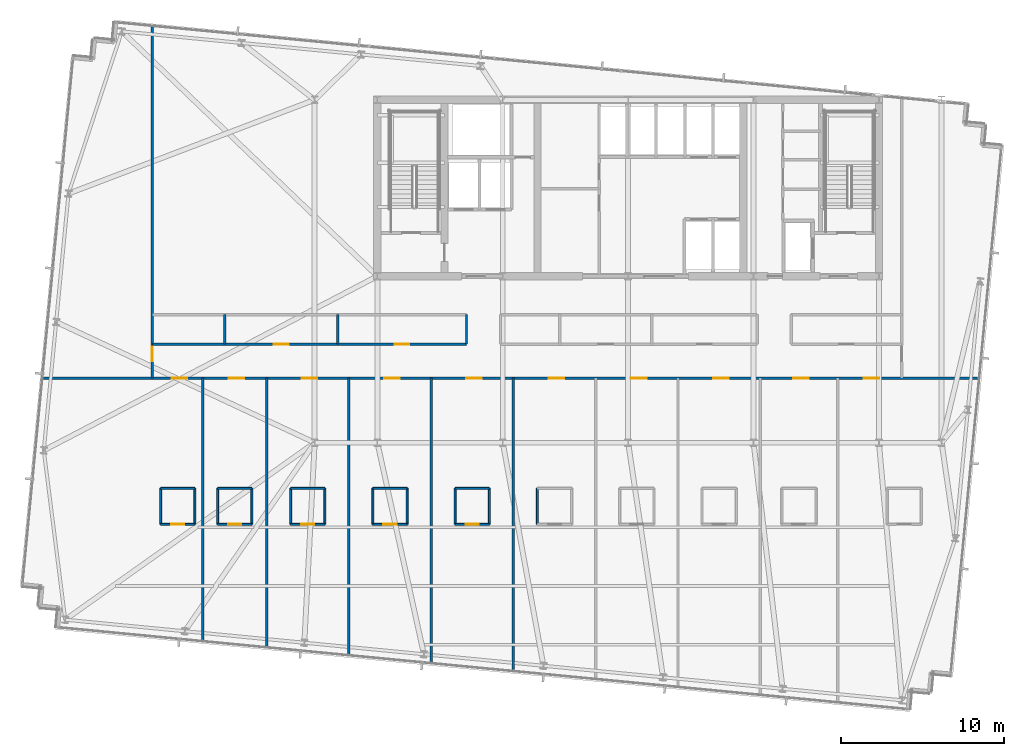
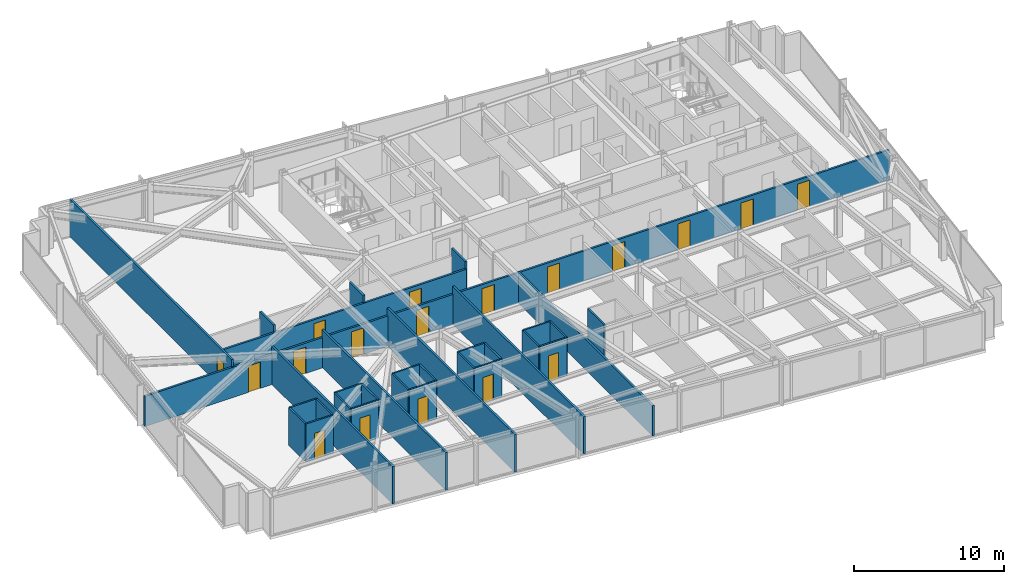
# One storey, part 29 of 37: 32 walls, 18 doors, 18 openings.
"""IFC4 building model written with IfcOpenShell, lengths in metres."""

from ifc_helpers import new_model, si_unit, direction, frame, frame_2d, origin, place, context, subcontext, project, spatial, rectangle, extrude, material, layer, layer_set, type_object, element, fill, save


model = new_model("IFC4")

# Units and contexts
model_context = context("Model", 3, precision=1e-05, world=origin(), true_north=direction((0.0, 1.0)))
body_context = subcontext(model_context, "Body", "Model", "MODEL_VIEW")
ifc_project = project(units=[si_unit("LENGTHUNIT", "METRE"), si_unit("AREAUNIT", "SQUARE_METRE"), si_unit("VOLUMEUNIT", "CUBIC_METRE"), si_unit("PLANEANGLEUNIT", "RADIAN"), si_unit("MASSUNIT", "GRAM", prefix="KILO")], contexts=[model_context])

# Site, building, storey
site_placement = place(None, origin())
site = spatial("IfcSite", under=ifc_project, at=site_placement, CompositionType="ELEMENT")
building_placement = place(site_placement, origin())
building = spatial("IfcBuilding", under=site, at=building_placement, Name="Yelkora Congress Tower", CompositionType="ELEMENT")
storey_placement = place(building_placement, frame((0.0, 0.0, 182.0)))
storey = spatial("IfcBuildingStorey", under=building, at=storey_placement, Name="L50", CompositionType="ELEMENT", Elevation=182.0)

# Walls
ifc_material_1 = material(Name="Moisture-resistant gypsum partition", Category="gypsum")
ifc_layer_1 = layer(ifc_material_1, 0.1201171875)
ifc_layer_set_1 = layer_set([ifc_layer_1], Name="Moisture-resistant gypsum partition")
wall_type_1 = type_object("IfcWallType", Name="WALL-INT-120-NR", PredefinedType="PARTITIONING", material=ifc_layer_set_1)
wall_1_placement = place(storey_placement, frame((9.758056640625, 22.39990234375, 0.0), z_axis=(0.0, 0.0, 1.0), x_axis=(1.0, 0.0, 0.0)))
element("IfcWall", 1, at=wall_1_placement, inside=storey, type_object=wall_type_1, Name="L50 Partition Wall 28", PredefinedType="PARTITIONING", context=body_context, shape_type="SweptSolid", body=[
    extrude(rectangle(XDim=2.099853515625, YDim=0.1201171875, at=frame_2d((1.0498046875, 0.0))), origin(), (0.0, 0.0, 1.0), 3.080078125),
])
for number, where, z_axis, x_axis, name in (
    (2, (9.758056640625, 20.199951171875, 0.0), (0.0, 0.0, 1.0), (0.0, 1.0, 0.0), "L50 Partition Wall 29"),
    (3, (11.85791015625, 20.199951171875, 0.0), (0.0, 0.0, 1.0), (0.0, 1.0, 0.0), "L50 Partition Wall 30"),
):
    element("IfcWall", number, at=place(storey_placement, frame(where, z_axis=z_axis, x_axis=x_axis)), inside=storey, type_object=wall_type_1, Name=name, PredefinedType="PARTITIONING", context=body_context, shape_type="SweptSolid", body=[
        extrude(rectangle(XDim=2.199951171875, YDim=0.1201171875, at=frame_2d((1.10009765625, 0.0))), origin(), (0.0, 0.0, 1.0), 3.080078125),
    ])

# Wall, opening, door
wall_2_placement = place(storey_placement, frame((9.758056640625, 20.199951171875, 0.0), z_axis=(0.0, 0.0, 1.0), x_axis=(1.0, 0.0, 0.0)))
wall_2 = element("IfcWall", 4, at=wall_2_placement, inside=storey, type_object=wall_type_1, Name="L50 Partition Wall 31", PredefinedType="PARTITIONING", context=body_context, shape_type="SweptSolid", body=[
    extrude(rectangle(XDim=2.099853515625, YDim=0.1201171875, at=frame_2d((1.0498046875, 0.0))), origin(), (0.0, 0.0, 1.0), 3.080078125),
])
opening_1_placement = place(wall_2_placement, frame((0.64990234375, 0.0, 0.0)))
opening_1 = element("IfcOpeningElement", 5, at=opening_1_placement, cuts=wall_2, Name="Opening DR-080B", PredefinedType="OPENING", context=body_context, shape_type="SweptSolid", body=[
    extrude(rectangle(XDim=0.800048828125, YDim=2.10009765625, at=frame_2d((0.39990234375, 1.050048828125))), frame((0.0, 0.070068359375, 0.0), z_axis=(0.0, -1.0, 0.0), x_axis=(1.0, 0.0, 0.0)), (0.0, 0.0, 1.0), 0.14013671875),
])
ifc_material_2 = material(Name="Moisture-sealed en-suite timber door", Category="wood")
door_type_1 = type_object("IfcDoorType", Name="DOOR-BATH-800", OperationType="NOTDEFINED", PredefinedType="DOOR", material=ifc_material_2)
door_1_placement = place(opening_1_placement, origin())
door_1 = element("IfcDoor", 6, at=door_1_placement, inside=storey, type_object=door_type_1, Name="L50 En-suite Door 1", OperationType="SINGLE_SWING_RIGHT", OverallHeight=2.10009765625, OverallWidth=0.800048828125, PredefinedType="DOOR", context=body_context, shape_type="SweptSolid", body=[
    extrude(rectangle(XDim=0.800048828125, YDim=2.10009765625, at=frame_2d((0.39990234375, 1.050048828125))), frame((0.0, 0.02490234375, 0.0), z_axis=(0.0, -1.0, 0.0), x_axis=(1.0, 0.0, 0.0)), (0.0, 0.0, 1.0), 0.050048828125),
])
fill(opening_1, door_1)

# Walls
wall_3_placement = place(storey_placement, frame((13.2529296875, 22.39990234375, 0.0), z_axis=(0.0, 0.0, 1.0), x_axis=(1.0, 0.0, 0.0)))
element("IfcWall", 7, at=wall_3_placement, inside=storey, type_object=wall_type_1, Name="L50 Partition Wall 32", PredefinedType="PARTITIONING", context=body_context, shape_type="SweptSolid", body=[
    extrude(rectangle(XDim=2.10009765625, YDim=0.1201171875, at=frame_2d((1.050048828125, 0.0))), origin(), (0.0, 0.0, 1.0), 3.080078125),
])
for number, where, z_axis, x_axis, name in (
    (8, (13.2529296875, 20.199951171875, 0.0), (0.0, 0.0, 1.0), (0.0, 1.0, 0.0), "L50 Partition Wall 33"),
    (9, (15.35302734375, 20.199951171875, 0.0), (0.0, 0.0, 1.0), (0.0, 1.0, 0.0), "L50 Partition Wall 34"),
):
    element("IfcWall", number, at=place(storey_placement, frame(where, z_axis=z_axis, x_axis=x_axis)), inside=storey, type_object=wall_type_1, Name=name, PredefinedType="PARTITIONING", context=body_context, shape_type="SweptSolid", body=[
        extrude(rectangle(XDim=2.199951171875, YDim=0.1201171875, at=frame_2d((1.10009765625, 0.0))), origin(), (0.0, 0.0, 1.0), 3.080078125),
    ])

# Wall, opening, door
wall_4_placement = place(storey_placement, frame((13.2529296875, 20.199951171875, 0.0), z_axis=(0.0, 0.0, 1.0), x_axis=(1.0, 0.0, 0.0)))
wall_4 = element("IfcWall", 10, at=wall_4_placement, inside=storey, type_object=wall_type_1, Name="L50 Partition Wall 35", PredefinedType="PARTITIONING", context=body_context, shape_type="SweptSolid", body=[
    extrude(rectangle(XDim=2.10009765625, YDim=0.1201171875, at=frame_2d((1.050048828125, 0.0))), origin(), (0.0, 0.0, 1.0), 3.080078125),
])
opening_2_placement = place(wall_4_placement, frame((0.64990234375, 0.0, 0.0)))
opening_2 = element("IfcOpeningElement", 11, at=opening_2_placement, cuts=wall_4, Name="Opening DR-080B", PredefinedType="OPENING", context=body_context, shape_type="SweptSolid", body=[
    extrude(rectangle(XDim=0.800048828125, YDim=2.10009765625, at=frame_2d((0.39990234375, 1.050048828125))), frame((0.0, 0.070068359375, 0.0), z_axis=(0.0, -1.0, 0.0), x_axis=(1.0, 0.0, 0.0)), (0.0, 0.0, 1.0), 0.14013671875),
])
door_2_placement = place(opening_2_placement, origin())
door_2 = element("IfcDoor", 12, at=door_2_placement, inside=storey, type_object=door_type_1, Name="L50 En-suite Door 2", OperationType="SINGLE_SWING_LEFT", OverallHeight=2.10009765625, OverallWidth=0.800048828125, PredefinedType="DOOR", context=body_context, shape_type="SweptSolid", body=[
    extrude(rectangle(XDim=0.800048828125, YDim=2.10009765625, at=frame_2d((0.39990234375, 1.050048828125))), frame((0.0, 0.02490234375, 0.0), z_axis=(0.0, -1.0, 0.0), x_axis=(1.0, 0.0, 0.0)), (0.0, 0.0, 1.0), 0.050048828125),
])
fill(opening_2, door_2)

# Walls
wall_5_placement = place(storey_placement, frame((17.720947265625, 22.39990234375, 0.0), z_axis=(0.0, 0.0, 1.0), x_axis=(1.0, 0.0, 0.0)))
element("IfcWall", 13, at=wall_5_placement, inside=storey, type_object=wall_type_1, Name="L50 Partition Wall 37", PredefinedType="PARTITIONING", context=body_context, shape_type="SweptSolid", body=[
    extrude(rectangle(XDim=2.10009765625, YDim=0.1201171875, at=frame_2d((1.050048828125, 0.0))), origin(), (0.0, 0.0, 1.0), 3.080078125),
])
for number, where, z_axis, x_axis, name in (
    (14, (17.720947265625, 20.199951171875, 0.0), (0.0, 0.0, 1.0), (0.0, 1.0, 0.0), "L50 Partition Wall 38"),
    (15, (19.821044921875, 20.199951171875, 0.0), (0.0, 0.0, 1.0), (0.0, 1.0, 0.0), "L50 Partition Wall 39"),
):
    element("IfcWall", number, at=place(storey_placement, frame(where, z_axis=z_axis, x_axis=x_axis)), inside=storey, type_object=wall_type_1, Name=name, PredefinedType="PARTITIONING", context=body_context, shape_type="SweptSolid", body=[
        extrude(rectangle(XDim=2.199951171875, YDim=0.1201171875, at=frame_2d((1.10009765625, 0.0))), origin(), (0.0, 0.0, 1.0), 3.080078125),
    ])

# Wall, opening, door
wall_6_placement = place(storey_placement, frame((17.720947265625, 20.199951171875, 0.0), z_axis=(0.0, 0.0, 1.0), x_axis=(1.0, 0.0, 0.0)))
wall_6 = element("IfcWall", 16, at=wall_6_placement, inside=storey, type_object=wall_type_1, Name="L50 Partition Wall 40", PredefinedType="PARTITIONING", context=body_context, shape_type="SweptSolid", body=[
    extrude(rectangle(XDim=2.10009765625, YDim=0.1201171875, at=frame_2d((1.050048828125, 0.0))), origin(), (0.0, 0.0, 1.0), 3.080078125),
])
opening_3_placement = place(wall_6_placement, frame((0.64990234375, 0.0, 0.0)))
opening_3 = element("IfcOpeningElement", 17, at=opening_3_placement, cuts=wall_6, Name="Opening DR-080B", PredefinedType="OPENING", context=body_context, shape_type="SweptSolid", body=[
    extrude(rectangle(XDim=0.800048828125, YDim=2.10009765625, at=frame_2d((0.39990234375, 1.050048828125))), frame((0.0, 0.070068359375, 0.0), z_axis=(0.0, -1.0, 0.0), x_axis=(1.0, 0.0, 0.0)), (0.0, 0.0, 1.0), 0.14013671875),
])
door_3_placement = place(opening_3_placement, origin())
door_3 = element("IfcDoor", 18, at=door_3_placement, inside=storey, type_object=door_type_1, Name="L50 En-suite Door 3", OperationType="SINGLE_SWING_RIGHT", OverallHeight=2.10009765625, OverallWidth=0.800048828125, PredefinedType="DOOR", context=body_context, shape_type="SweptSolid", body=[
    extrude(rectangle(XDim=0.800048828125, YDim=2.10009765625, at=frame_2d((0.39990234375, 1.050048828125))), frame((0.0, 0.02490234375, 0.0), z_axis=(0.0, -1.0, 0.0), x_axis=(1.0, 0.0, 0.0)), (0.0, 0.0, 1.0), 0.050048828125),
])
fill(opening_3, door_3)

# Walls
wall_7_placement = place(storey_placement, frame((22.761962890625, 22.39990234375, 0.0), z_axis=(0.0, 0.0, 1.0), x_axis=(1.0, 0.0, 0.0)))
element("IfcWall", 19, at=wall_7_placement, inside=storey, type_object=wall_type_1, Name="L50 Partition Wall 42", PredefinedType="PARTITIONING", context=body_context, shape_type="SweptSolid", body=[
    extrude(rectangle(XDim=2.10009765625, YDim=0.1201171875, at=frame_2d((1.050048828125, 0.0))), origin(), (0.0, 0.0, 1.0), 3.080078125),
])
for number, where, z_axis, x_axis, name in (
    (20, (22.761962890625, 20.199951171875, 0.0), (0.0, 0.0, 1.0), (0.0, 1.0, 0.0), "L50 Partition Wall 43"),
    (21, (24.862060546875, 20.199951171875, 0.0), (0.0, 0.0, 1.0), (0.0, 1.0, 0.0), "L50 Partition Wall 44"),
):
    element("IfcWall", number, at=place(storey_placement, frame(where, z_axis=z_axis, x_axis=x_axis)), inside=storey, type_object=wall_type_1, Name=name, PredefinedType="PARTITIONING", context=body_context, shape_type="SweptSolid", body=[
        extrude(rectangle(XDim=2.199951171875, YDim=0.1201171875, at=frame_2d((1.10009765625, 0.0))), origin(), (0.0, 0.0, 1.0), 3.080078125),
    ])

# Wall, opening, door
wall_8_placement = place(storey_placement, frame((22.761962890625, 20.199951171875, 0.0), z_axis=(0.0, 0.0, 1.0), x_axis=(1.0, 0.0, 0.0)))
wall_8 = element("IfcWall", 22, at=wall_8_placement, inside=storey, type_object=wall_type_1, Name="L50 Partition Wall 45", PredefinedType="PARTITIONING", context=body_context, shape_type="SweptSolid", body=[
    extrude(rectangle(XDim=2.10009765625, YDim=0.1201171875, at=frame_2d((1.050048828125, 0.0))), origin(), (0.0, 0.0, 1.0), 3.080078125),
])
opening_4_placement = place(wall_8_placement, frame((0.64990234375, 0.0, 0.0)))
opening_4 = element("IfcOpeningElement", 23, at=opening_4_placement, cuts=wall_8, Name="Opening DR-080B", PredefinedType="OPENING", context=body_context, shape_type="SweptSolid", body=[
    extrude(rectangle(XDim=0.800048828125, YDim=2.10009765625, at=frame_2d((0.39990234375, 1.050048828125))), frame((0.0, 0.070068359375, 0.0), z_axis=(0.0, -1.0, 0.0), x_axis=(1.0, 0.0, 0.0)), (0.0, 0.0, 1.0), 0.14013671875),
])
door_4_placement = place(opening_4_placement, origin())
door_4 = element("IfcDoor", 24, at=door_4_placement, inside=storey, type_object=door_type_1, Name="L50 En-suite Door 4", OperationType="SINGLE_SWING_LEFT", OverallHeight=2.10009765625, OverallWidth=0.800048828125, PredefinedType="DOOR", context=body_context, shape_type="SweptSolid", body=[
    extrude(rectangle(XDim=0.800048828125, YDim=2.10009765625, at=frame_2d((0.39990234375, 1.050048828125))), frame((0.0, 0.02490234375, 0.0), z_axis=(0.0, -1.0, 0.0), x_axis=(1.0, 0.0, 0.0)), (0.0, 0.0, 1.0), 0.050048828125),
])
fill(opening_4, door_4)

# Walls
wall_9_placement = place(storey_placement, frame((27.802001953125, 22.39990234375, 0.0), z_axis=(0.0, 0.0, 1.0), x_axis=(1.0, 0.0, 0.0)))
element("IfcWall", 25, at=wall_9_placement, inside=storey, type_object=wall_type_1, Name="L50 Partition Wall 47", PredefinedType="PARTITIONING", context=body_context, shape_type="SweptSolid", body=[
    extrude(rectangle(XDim=2.10009765625, YDim=0.1201171875, at=frame_2d((1.050048828125, 0.0))), origin(), (0.0, 0.0, 1.0), 3.080078125),
])
for number, where, z_axis, x_axis, name in (
    (26, (27.802001953125, 20.199951171875, 0.0), (0.0, 0.0, 1.0), (0.0, 1.0, 0.0), "L50 Partition Wall 48"),
    (27, (29.902099609375, 20.199951171875, 0.0), (0.0, 0.0, 1.0), (0.0, 1.0, 0.0), "L50 Partition Wall 49"),
):
    element("IfcWall", number, at=place(storey_placement, frame(where, z_axis=z_axis, x_axis=x_axis)), inside=storey, type_object=wall_type_1, Name=name, PredefinedType="PARTITIONING", context=body_context, shape_type="SweptSolid", body=[
        extrude(rectangle(XDim=2.199951171875, YDim=0.1201171875, at=frame_2d((1.10009765625, 0.0))), origin(), (0.0, 0.0, 1.0), 3.080078125),
    ])

# Wall, opening, door
wall_10_placement = place(storey_placement, frame((27.802001953125, 20.199951171875, 0.0), z_axis=(0.0, 0.0, 1.0), x_axis=(1.0, 0.0, 0.0)))
wall_10 = element("IfcWall", 28, at=wall_10_placement, inside=storey, type_object=wall_type_1, Name="L50 Partition Wall 50", PredefinedType="PARTITIONING", context=body_context, shape_type="SweptSolid", body=[
    extrude(rectangle(XDim=2.10009765625, YDim=0.1201171875, at=frame_2d((1.050048828125, 0.0))), origin(), (0.0, 0.0, 1.0), 3.080078125),
])
opening_5_placement = place(wall_10_placement, frame((0.64990234375, 0.0, 0.0)))
opening_5 = element("IfcOpeningElement", 29, at=opening_5_placement, cuts=wall_10, Name="Opening DR-080B", PredefinedType="OPENING", context=body_context, shape_type="SweptSolid", body=[
    extrude(rectangle(XDim=0.800048828125, YDim=2.10009765625, at=frame_2d((0.39990234375, 1.050048828125))), frame((0.0, 0.070068359375, 0.0), z_axis=(0.0, -1.0, 0.0), x_axis=(1.0, 0.0, 0.0)), (0.0, 0.0, 1.0), 0.14013671875),
])
door_5_placement = place(opening_5_placement, origin())
door_5 = element("IfcDoor", 30, at=door_5_placement, inside=storey, type_object=door_type_1, Name="L50 En-suite Door 5", OperationType="SINGLE_SWING_RIGHT", OverallHeight=2.10009765625, OverallWidth=0.800048828125, PredefinedType="DOOR", context=body_context, shape_type="SweptSolid", body=[
    extrude(rectangle(XDim=0.800048828125, YDim=2.10009765625, at=frame_2d((0.39990234375, 1.050048828125))), frame((0.0, 0.02490234375, 0.0), z_axis=(0.0, -1.0, 0.0), x_axis=(1.0, 0.0, 0.0)), (0.0, 0.0, 1.0), 0.050048828125),
])
fill(opening_5, door_5)

# Wall
wall_11_placement = place(storey_placement, frame((32.842041015625, 20.199951171875, 0.0), z_axis=(0.0, 0.0, 1.0), x_axis=(0.0, 1.0, 0.0)))
element("IfcWall", 31, at=wall_11_placement, inside=storey, type_object=wall_type_1, Name="L50 Partition Wall 53", PredefinedType="PARTITIONING", context=body_context, shape_type="SweptSolid", body=[
    extrude(rectangle(XDim=2.199951171875, YDim=0.1201171875, at=frame_2d((1.10009765625, 0.0))), origin(), (0.0, 0.0, 1.0), 3.080078125),
])

# Wall, opening, door
ifc_material_3 = material(Name="Acoustic metal-stud gypsum partition", Category="gypsum")
ifc_layer_2 = layer(ifc_material_3, 0.14990234375)
ifc_layer_set_2 = layer_set([ifc_layer_2], Name="Acoustic metal-stud gypsum partition")
wall_type_2 = type_object("IfcWallType", Name="WALL-INT-150-NR", PredefinedType="PARTITIONING", material=ifc_layer_set_2)
wall_12_placement = place(storey_placement, frame((9.260009765625, 29.14990234375, 0.0), z_axis=(0.0, 0.0, 1.0), x_axis=(0.0, 1.0, 0.0)))
wall_12 = element("IfcWall", 32, at=wall_12_placement, inside=storey, type_object=wall_type_2, Name="L50 Partition Wall 78", PredefinedType="PARTITIONING", context=body_context, shape_type="SweptSolid", body=[
    extrude(rectangle(XDim=21.63330078125, YDim=0.14990234375, at=frame_2d((10.816650390625, 0.0))), origin(), (0.0, 0.0, 1.0), 3.080078125),
])
opening_6_placement = place(wall_12_placement, frame((1.030029296875, 0.0, 0.0)))
opening_6 = element("IfcOpeningElement", 33, at=opening_6_placement, cuts=wall_12, Name="Opening DR-090N", PredefinedType="OPENING", context=body_context, shape_type="SweptSolid", body=[
    extrude(rectangle(XDim=0.89990234375, YDim=2.14990234375, at=frame_2d((0.449951171875, 1.074951171875))), frame((0.0, 0.0849609375, 0.0), z_axis=(0.0, -1.0, 0.0), x_axis=(1.0, 0.0, 0.0)), (0.0, 0.0, 1.0), 0.169921875),
])
ifc_material_4 = material(Name="Moisture-resistant laminate door leaf", Category="wood")
door_type_2 = type_object("IfcDoorType", Name="DOOR-INT-900", OperationType="NOTDEFINED", PredefinedType="DOOR", material=ifc_material_4)
door_6_placement = place(opening_6_placement, origin())
door_6 = element("IfcDoor", 34, at=door_6_placement, inside=storey, type_object=door_type_2, Name="L50 W Wing Door", OperationType="SINGLE_SWING_RIGHT", OverallHeight=2.14990234375, OverallWidth=0.89990234375, PredefinedType="DOOR", context=body_context, shape_type="SweptSolid", body=[
    extrude(rectangle(XDim=0.89990234375, YDim=2.14990234375, at=frame_2d((0.449951171875, 1.074951171875))), frame((0.0, 0.02490234375, 0.0), z_axis=(0.0, -1.0, 0.0), x_axis=(1.0, 0.0, 0.0)), (0.0, 0.0, 1.0), 0.050048828125),
])
fill(opening_6, door_6)

# Walls
for number, where, z_axis, x_axis, name in (
    (35, (28.5, 31.22998046875, 0.0), (0.0, 0.0, 1.0), (0.0, 1.0, 0.0), "L50 Partition Wall 80"),
    (36, (13.697998046875, 31.22998046875, 0.0), (0.0, 0.0, 1.0), (0.0, 1.0, 0.0), "L50 Partition Wall 87"),
    (37, (20.614013671875, 31.22998046875, 0.0), (0.0, 0.0, 1.0), (0.0, 1.0, 0.0), "L50 Partition Wall 88"),
):
    element("IfcWall", number, at=place(storey_placement, frame(where, z_axis=z_axis, x_axis=x_axis)), inside=storey, type_object=wall_type_2, Name=name, PredefinedType="PARTITIONING", context=body_context, shape_type="SweptSolid", body=[
        extrude(rectangle(XDim=1.820068359375, YDim=0.14990234375, at=frame_2d((0.91015625, 0.0))), origin(), (0.0, 0.0, 1.0), 3.080078125),
    ])

# Wall, openings, doors
wall_13_placement = place(storey_placement, frame((9.280029296875, 31.22998046875, 0.0), z_axis=(0.0, 0.0, 1.0), x_axis=(1.0, 0.0, 0.0)))
wall_13 = element("IfcWall", 38, at=wall_13_placement, inside=storey, type_object=wall_type_2, Name="L50 Partition Wall 89", PredefinedType="PARTITIONING", context=body_context, shape_type="SweptSolid", body=[
    extrude(rectangle(XDim=19.2099609375, YDim=0.14990234375, at=frame_2d((9.60498046875, 0.0))), origin(), (0.0, 0.0, 1.0), 2.47509765625),
])
opening_7_placement = place(wall_13_placement, frame((7.426025390625, 0.0, 0.0)))
opening_7 = element("IfcOpeningElement", 39, at=opening_7_placement, cuts=wall_13, Name="Opening DR-090N", PredefinedType="OPENING", context=body_context, shape_type="SweptSolid", body=[
    extrude(rectangle(XDim=0.89990234375, YDim=2.14990234375, at=frame_2d((0.449951171875, 1.074951171875))), frame((0.0, 0.0849609375, 0.0), z_axis=(0.0, -1.0, 0.0), x_axis=(1.0, 0.0, 0.0)), (0.0, 0.0, 1.0), 0.169921875),
])
opening_8_placement = place(wall_13_placement, frame((14.822021484375, 0.0, 0.0)))
opening_8 = element("IfcOpeningElement", 40, at=opening_8_placement, cuts=wall_13, Name="Opening DR-090N", PredefinedType="OPENING", context=body_context, shape_type="SweptSolid", body=[
    extrude(rectangle(XDim=0.89990234375, YDim=2.14990234375, at=frame_2d((0.449951171875, 1.074951171875))), frame((0.0, 0.0849609375, 0.0), z_axis=(0.0, -1.0, 0.0), x_axis=(1.0, 0.0, 0.0)), (0.0, 0.0, 1.0), 0.169921875),
])
door_7_placement = place(opening_7_placement, origin())
door_7 = element("IfcDoor", 41, at=door_7_placement, inside=storey, type_object=door_type_2, Name="L50 Hospitality Pantry Door", OperationType="SINGLE_SWING_RIGHT", OverallHeight=2.14990234375, OverallWidth=0.89990234375, PredefinedType="DOOR", context=body_context, shape_type="SweptSolid", body=[
    extrude(rectangle(XDim=0.89990234375, YDim=2.14990234375, at=frame_2d((0.449951171875, 1.074951171875))), frame((0.0, 0.02490234375, 0.0), z_axis=(0.0, -1.0, 0.0), x_axis=(1.0, 0.0, 0.0)), (0.0, 0.0, 1.0), 0.050048828125),
])
fill(opening_7, door_7)
door_8_placement = place(opening_8_placement, origin())
door_8 = element("IfcDoor", 42, at=door_8_placement, inside=storey, type_object=door_type_2, Name="L50 Staff Operations Room Door", OperationType="SINGLE_SWING_LEFT", OverallHeight=2.14990234375, OverallWidth=0.89990234375, PredefinedType="DOOR", context=body_context, shape_type="SweptSolid", body=[
    extrude(rectangle(XDim=0.89990234375, YDim=2.14990234375, at=frame_2d((0.449951171875, 1.074951171875))), frame((0.0, 0.02490234375, 0.0), z_axis=(0.0, -1.0, 0.0), x_axis=(1.0, 0.0, 0.0)), (0.0, 0.0, 1.0), 0.050048828125),
])
fill(opening_8, door_8)

# Walls
ifc_material_5 = material(Name="Twin-stud fire-rated gypsum partition", Category="gypsum")
ifc_layer_3 = layer(ifc_material_5, 0.14990234375)
ifc_layer_set_3 = layer_set([ifc_layer_3], Name="Twin-stud fire-rated gypsum partition")
wall_type_3 = type_object("IfcWallType", Name="WALL-INT-150-R60", PredefinedType="PARTITIONING", material=ifc_layer_set_3)
wall_14_placement = place(storey_placement, frame((12.35498046875, 12.972412109375, 0.0), z_axis=(0.0, 0.0, 1.0), x_axis=(0.0, 1.0, 0.0)))
element("IfcWall", 43, at=wall_14_placement, inside=storey, type_object=wall_type_3, Name="L50 Partition Wall 36", PredefinedType="PARTITIONING", context=body_context, shape_type="SweptSolid", body=[
    extrude(rectangle(XDim=16.197509765625, YDim=0.14990234375, at=frame_2d((8.0986328125, 0.0))), origin(), (0.0, 0.0, 1.0), 3.080078125),
])
wall_15_placement = place(storey_placement, frame((16.2509765625, 12.59716796875, 0.0), z_axis=(0.0, 0.0, 1.0), x_axis=(0.0, 1.0, 0.0)))
element("IfcWall", 44, at=wall_15_placement, inside=storey, type_object=wall_type_3, Name="L50 Partition Wall 41", PredefinedType="PARTITIONING", context=body_context, shape_type="SweptSolid", body=[
    extrude(rectangle(XDim=16.57275390625, YDim=0.14990234375, at=frame_2d((8.286376953125, 0.0))), origin(), (0.0, 0.0, 1.0), 3.080078125),
])
wall_16_placement = place(storey_placement, frame((21.291015625, 12.11181640625, 0.0), z_axis=(0.0, 0.0, 1.0), x_axis=(0.0, 1.0, 0.0)))
element("IfcWall", 45, at=wall_16_placement, inside=storey, type_object=wall_type_3, Name="L50 Partition Wall 46", PredefinedType="PARTITIONING", context=body_context, shape_type="SweptSolid", body=[
    extrude(rectangle(XDim=17.05810546875, YDim=0.14990234375, at=frame_2d((8.529052734375, 0.0))), origin(), (0.0, 0.0, 1.0), 3.080078125),
])
wall_17_placement = place(storey_placement, frame((26.33203125, 11.62646484375, 0.0), z_axis=(0.0, 0.0, 1.0), x_axis=(0.0, 1.0, 0.0)))
element("IfcWall", 46, at=wall_17_placement, inside=storey, type_object=wall_type_3, Name="L50 Partition Wall 51", PredefinedType="PARTITIONING", context=body_context, shape_type="SweptSolid", body=[
    extrude(rectangle(XDim=17.54345703125, YDim=0.14990234375, at=frame_2d((8.771728515625, 0.0))), origin(), (0.0, 0.0, 1.0), 3.080078125),
])
wall_18_placement = place(storey_placement, frame((31.3720703125, 11.14111328125, 0.0), z_axis=(0.0, 0.0, 1.0), x_axis=(0.0, 1.0, 0.0)))
element("IfcWall", 47, at=wall_18_placement, inside=storey, type_object=wall_type_3, Name="L50 Partition Wall 56", PredefinedType="PARTITIONING", context=body_context, shape_type="SweptSolid", body=[
    extrude(rectangle(XDim=18.02880859375, YDim=0.14990234375, at=frame_2d((9.014404296875, 0.0))), origin(), (0.0, 0.0, 1.0), 2.47509765625),
])

# Wall, openings, doors
wall_19_placement = place(storey_placement, frame((2.460205078125, 29.14990234375, 0.0), z_axis=(0.0, 0.0, 1.0), x_axis=(1.0, 0.0, 0.0)))
wall_19 = element("IfcWall", 48, at=wall_19_placement, inside=storey, type_object=wall_type_3, Name="L50 South Spine Wall", PredefinedType="PARTITIONING", context=body_context, shape_type="SweptSolid", body=[
    extrude(rectangle(XDim=57.5048828125, YDim=0.14990234375, at=frame_2d((28.75244140625, 0.0))), origin(), (0.0, 0.0, 1.0), 2.47509765625),
])
opening_9_placement = place(wall_19_placement, frame((7.9873046875, 0.0, 0.0)))
opening_9 = element("IfcOpeningElement", 49, at=opening_9_placement, cuts=wall_19, Name="Opening DR-095F6", PredefinedType="OPENING", context=body_context, shape_type="SweptSolid", body=[
    extrude(rectangle(XDim=0.949951171875, YDim=2.14990234375, at=frame_2d((0.47509765625, 1.074951171875))), frame((0.0, 0.0849609375, 0.0), z_axis=(0.0, -1.0, 0.0), x_axis=(1.0, 0.0, 0.0)), (0.0, 0.0, 1.0), 0.169921875),
])
opening_10_placement = place(wall_19_placement, frame((11.482666015625, 0.0, 0.0)))
opening_10 = element("IfcOpeningElement", 50, at=opening_10_placement, cuts=wall_19, Name="Opening DR-095F6", PredefinedType="OPENING", context=body_context, shape_type="SweptSolid", body=[
    extrude(rectangle(XDim=0.949951171875, YDim=2.14990234375, at=frame_2d((0.47509765625, 1.074951171875))), frame((0.0, 0.0849609375, 0.0), z_axis=(0.0, -1.0, 0.0), x_axis=(1.0, 0.0, 0.0)), (0.0, 0.0, 1.0), 0.169921875),
])
opening_11_placement = place(wall_19_placement, frame((15.95068359375, 0.0, 0.0)))
opening_11 = element("IfcOpeningElement", 51, at=opening_11_placement, cuts=wall_19, Name="Opening DR-095F6", PredefinedType="OPENING", context=body_context, shape_type="SweptSolid", body=[
    extrude(rectangle(XDim=0.949951171875, YDim=2.14990234375, at=frame_2d((0.47509765625, 1.074951171875))), frame((0.0, 0.0849609375, 0.0), z_axis=(0.0, -1.0, 0.0), x_axis=(1.0, 0.0, 0.0)), (0.0, 0.0, 1.0), 0.169921875),
])
opening_12_placement = place(wall_19_placement, frame((20.9912109375, 0.0, 0.0)))
opening_12 = element("IfcOpeningElement", 52, at=opening_12_placement, cuts=wall_19, Name="Opening DR-095F6", PredefinedType="OPENING", context=body_context, shape_type="SweptSolid", body=[
    extrude(rectangle(XDim=0.949951171875, YDim=2.14990234375, at=frame_2d((0.47509765625, 1.074951171875))), frame((0.0, 0.0849609375, 0.0), z_axis=(0.0, -1.0, 0.0), x_axis=(1.0, 0.0, 0.0)), (0.0, 0.0, 1.0), 0.169921875),
])
opening_13_placement = place(wall_19_placement, frame((26.03173828125, 0.0, 0.0)))
opening_13 = element("IfcOpeningElement", 53, at=opening_13_placement, cuts=wall_19, Name="Opening DR-095F6", PredefinedType="OPENING", context=body_context, shape_type="SweptSolid", body=[
    extrude(rectangle(XDim=0.949951171875, YDim=2.14990234375, at=frame_2d((0.47509765625, 1.074951171875))), frame((0.0, 0.0849609375, 0.0), z_axis=(0.0, -1.0, 0.0), x_axis=(1.0, 0.0, 0.0)), (0.0, 0.0, 1.0), 0.169921875),
])
opening_14_placement = place(wall_19_placement, frame((31.072265625, 0.0, 0.0)))
opening_14 = element("IfcOpeningElement", 54, at=opening_14_placement, cuts=wall_19, Name="Opening DR-095F6", PredefinedType="OPENING", context=body_context, shape_type="SweptSolid", body=[
    extrude(rectangle(XDim=0.949951171875, YDim=2.14990234375, at=frame_2d((0.47509765625, 1.074951171875))), frame((0.0, 0.0849609375, 0.0), z_axis=(0.0, -1.0, 0.0), x_axis=(1.0, 0.0, 0.0)), (0.0, 0.0, 1.0), 0.169921875),
])
opening_15_placement = place(wall_19_placement, frame((36.11328125, 0.0, 0.0)))
opening_15 = element("IfcOpeningElement", 55, at=opening_15_placement, cuts=wall_19, Name="Opening DR-095F6", PredefinedType="OPENING", context=body_context, shape_type="SweptSolid", body=[
    extrude(rectangle(XDim=0.949951171875, YDim=2.14990234375, at=frame_2d((0.47509765625, 1.074951171875))), frame((0.0, 0.0849609375, 0.0), z_axis=(0.0, -1.0, 0.0), x_axis=(1.0, 0.0, 0.0)), (0.0, 0.0, 1.0), 0.169921875),
])
opening_16_placement = place(wall_19_placement, frame((41.15380859375, 0.0, 0.0)))
opening_16 = element("IfcOpeningElement", 56, at=opening_16_placement, cuts=wall_19, Name="Opening DR-095F6", PredefinedType="OPENING", context=body_context, shape_type="SweptSolid", body=[
    extrude(rectangle(XDim=0.949951171875, YDim=2.14990234375, at=frame_2d((0.47509765625, 1.074951171875))), frame((0.0, 0.0849609375, 0.0), z_axis=(0.0, -1.0, 0.0), x_axis=(1.0, 0.0, 0.0)), (0.0, 0.0, 1.0), 0.169921875),
])
opening_17_placement = place(wall_19_placement, frame((46.041748046875, 0.0, 0.0)))
opening_17 = element("IfcOpeningElement", 57, at=opening_17_placement, cuts=wall_19, Name="Opening DR-095F6", PredefinedType="OPENING", context=body_context, shape_type="SweptSolid", body=[
    extrude(rectangle(XDim=0.949951171875, YDim=2.14990234375, at=frame_2d((0.47509765625, 1.074951171875))), frame((0.0, 0.0849609375, 0.0), z_axis=(0.0, -1.0, 0.0), x_axis=(1.0, 0.0, 0.0)), (0.0, 0.0, 1.0), 0.169921875),
])
opening_18_placement = place(wall_19_placement, frame((50.377197265625, 0.0, 0.0)))
opening_18 = element("IfcOpeningElement", 58, at=opening_18_placement, cuts=wall_19, Name="Opening DR-095F6", PredefinedType="OPENING", context=body_context, shape_type="SweptSolid", body=[
    extrude(rectangle(XDim=0.949951171875, YDim=2.14990234375, at=frame_2d((0.47509765625, 1.074951171875))), frame((0.0, 0.0849609375, 0.0), z_axis=(0.0, -1.0, 0.0), x_axis=(1.0, 0.0, 0.0)), (0.0, 0.0, 1.0), 0.169921875),
])
ifc_material_6 = material(Name="Acoustic oak-veneer fire door leaf", Category="wood")
door_type_3 = type_object("IfcDoorType", Name="DOOR-FD60-950", OperationType="NOTDEFINED", PredefinedType="DOOR", material=ifc_material_6)
door_9_placement = place(opening_9_placement, origin())
door_9 = element("IfcDoor", 59, at=door_9_placement, inside=storey, type_object=door_type_3, Name="L50 Diplomatic Suite 01 Entry Door", OperationType="SINGLE_SWING_RIGHT", OverallHeight=2.14990234375, OverallWidth=0.949951171875, PredefinedType="DOOR", context=body_context, shape_type="SweptSolid", body=[
    extrude(rectangle(XDim=0.949951171875, YDim=2.14990234375, at=frame_2d((0.47509765625, 1.074951171875))), frame((0.0, 0.02490234375, 0.0), z_axis=(0.0, -1.0, 0.0), x_axis=(1.0, 0.0, 0.0)), (0.0, 0.0, 1.0), 0.050048828125),
])
fill(opening_9, door_9)
door_10_placement = place(opening_10_placement, origin())
door_10 = element("IfcDoor", 60, at=door_10_placement, inside=storey, type_object=door_type_3, Name="L50 Diplomatic Suite 02 Entry Door", OperationType="SINGLE_SWING_LEFT", OverallHeight=2.14990234375, OverallWidth=0.949951171875, PredefinedType="DOOR", context=body_context, shape_type="SweptSolid", body=[
    extrude(rectangle(XDim=0.949951171875, YDim=2.14990234375, at=frame_2d((0.47509765625, 1.074951171875))), frame((0.0, 0.02490234375, 0.0), z_axis=(0.0, -1.0, 0.0), x_axis=(1.0, 0.0, 0.0)), (0.0, 0.0, 1.0), 0.050048828125),
])
fill(opening_10, door_10)
door_11_placement = place(opening_11_placement, origin())
door_11 = element("IfcDoor", 61, at=door_11_placement, inside=storey, type_object=door_type_3, Name="L50 Diplomatic Suite 03 Entry Door", OperationType="SINGLE_SWING_RIGHT", OverallHeight=2.14990234375, OverallWidth=0.949951171875, PredefinedType="DOOR", context=body_context, shape_type="SweptSolid", body=[
    extrude(rectangle(XDim=0.949951171875, YDim=2.14990234375, at=frame_2d((0.47509765625, 1.074951171875))), frame((0.0, 0.02490234375, 0.0), z_axis=(0.0, -1.0, 0.0), x_axis=(1.0, 0.0, 0.0)), (0.0, 0.0, 1.0), 0.050048828125),
])
fill(opening_11, door_11)
door_12_placement = place(opening_12_placement, origin())
door_12 = element("IfcDoor", 62, at=door_12_placement, inside=storey, type_object=door_type_3, Name="L50 Diplomatic Suite 04 Entry Door", OperationType="SINGLE_SWING_LEFT", OverallHeight=2.14990234375, OverallWidth=0.949951171875, PredefinedType="DOOR", context=body_context, shape_type="SweptSolid", body=[
    extrude(rectangle(XDim=0.949951171875, YDim=2.14990234375, at=frame_2d((0.47509765625, 1.074951171875))), frame((0.0, 0.02490234375, 0.0), z_axis=(0.0, -1.0, 0.0), x_axis=(1.0, 0.0, 0.0)), (0.0, 0.0, 1.0), 0.050048828125),
])
fill(opening_12, door_12)
door_13_placement = place(opening_13_placement, origin())
door_13 = element("IfcDoor", 63, at=door_13_placement, inside=storey, type_object=door_type_3, Name="L50 Diplomatic Suite 05 Entry Door", OperationType="SINGLE_SWING_RIGHT", OverallHeight=2.14990234375, OverallWidth=0.949951171875, PredefinedType="DOOR", context=body_context, shape_type="SweptSolid", body=[
    extrude(rectangle(XDim=0.949951171875, YDim=2.14990234375, at=frame_2d((0.47509765625, 1.074951171875))), frame((0.0, 0.02490234375, 0.0), z_axis=(0.0, -1.0, 0.0), x_axis=(1.0, 0.0, 0.0)), (0.0, 0.0, 1.0), 0.050048828125),
])
fill(opening_13, door_13)
door_14_placement = place(opening_14_placement, origin())
door_14 = element("IfcDoor", 64, at=door_14_placement, inside=storey, type_object=door_type_3, Name="L50 Diplomatic Suite 06 Entry Door", OperationType="SINGLE_SWING_LEFT", OverallHeight=2.14990234375, OverallWidth=0.949951171875, PredefinedType="DOOR", context=body_context, shape_type="SweptSolid", body=[
    extrude(rectangle(XDim=0.949951171875, YDim=2.14990234375, at=frame_2d((0.47509765625, 1.074951171875))), frame((0.0, 0.02490234375, 0.0), z_axis=(0.0, -1.0, 0.0), x_axis=(1.0, 0.0, 0.0)), (0.0, 0.0, 1.0), 0.050048828125),
])
fill(opening_14, door_14)
door_15_placement = place(opening_15_placement, origin())
door_15 = element("IfcDoor", 65, at=door_15_placement, inside=storey, type_object=door_type_3, Name="L50 Diplomatic Suite 07 Entry Door", OperationType="SINGLE_SWING_RIGHT", OverallHeight=2.14990234375, OverallWidth=0.949951171875, PredefinedType="DOOR", context=body_context, shape_type="SweptSolid", body=[
    extrude(rectangle(XDim=0.949951171875, YDim=2.14990234375, at=frame_2d((0.47509765625, 1.074951171875))), frame((0.0, 0.02490234375, 0.0), z_axis=(0.0, -1.0, 0.0), x_axis=(1.0, 0.0, 0.0)), (0.0, 0.0, 1.0), 0.050048828125),
])
fill(opening_15, door_15)
door_16_placement = place(opening_16_placement, origin())
door_16 = element("IfcDoor", 66, at=door_16_placement, inside=storey, type_object=door_type_3, Name="L50 Diplomatic Suite 08 Entry Door", OperationType="SINGLE_SWING_LEFT", OverallHeight=2.14990234375, OverallWidth=0.949951171875, PredefinedType="DOOR", context=body_context, shape_type="SweptSolid", body=[
    extrude(rectangle(XDim=0.949951171875, YDim=2.14990234375, at=frame_2d((0.47509765625, 1.074951171875))), frame((0.0, 0.02490234375, 0.0), z_axis=(0.0, -1.0, 0.0), x_axis=(1.0, 0.0, 0.0)), (0.0, 0.0, 1.0), 0.050048828125),
])
fill(opening_16, door_16)
door_17_placement = place(opening_17_placement, origin())
door_17 = element("IfcDoor", 67, at=door_17_placement, inside=storey, type_object=door_type_3, Name="L50 Diplomatic Suite 09 Entry Door", OperationType="SINGLE_SWING_RIGHT", OverallHeight=2.14990234375, OverallWidth=0.949951171875, PredefinedType="DOOR", context=body_context, shape_type="SweptSolid", body=[
    extrude(rectangle(XDim=0.949951171875, YDim=2.14990234375, at=frame_2d((0.47509765625, 1.074951171875))), frame((0.0, 0.02490234375, 0.0), z_axis=(0.0, -1.0, 0.0), x_axis=(1.0, 0.0, 0.0)), (0.0, 0.0, 1.0), 0.050048828125),
])
fill(opening_17, door_17)
door_18_placement = place(opening_18_placement, origin())
door_18 = element("IfcDoor", 68, at=door_18_placement, inside=storey, type_object=door_type_3, Name="L50 Diplomatic Suite 10 Entry Door", OperationType="SINGLE_SWING_LEFT", OverallHeight=2.14990234375, OverallWidth=0.949951171875, PredefinedType="DOOR", context=body_context, shape_type="SweptSolid", body=[
    extrude(rectangle(XDim=0.949951171875, YDim=2.14990234375, at=frame_2d((0.47509765625, 1.074951171875))), frame((0.0, 0.02490234375, 0.0), z_axis=(0.0, -1.0, 0.0), x_axis=(1.0, 0.0, 0.0)), (0.0, 0.0, 1.0), 0.050048828125),
])
fill(opening_18, door_18)

save(model, "model.ifc")
